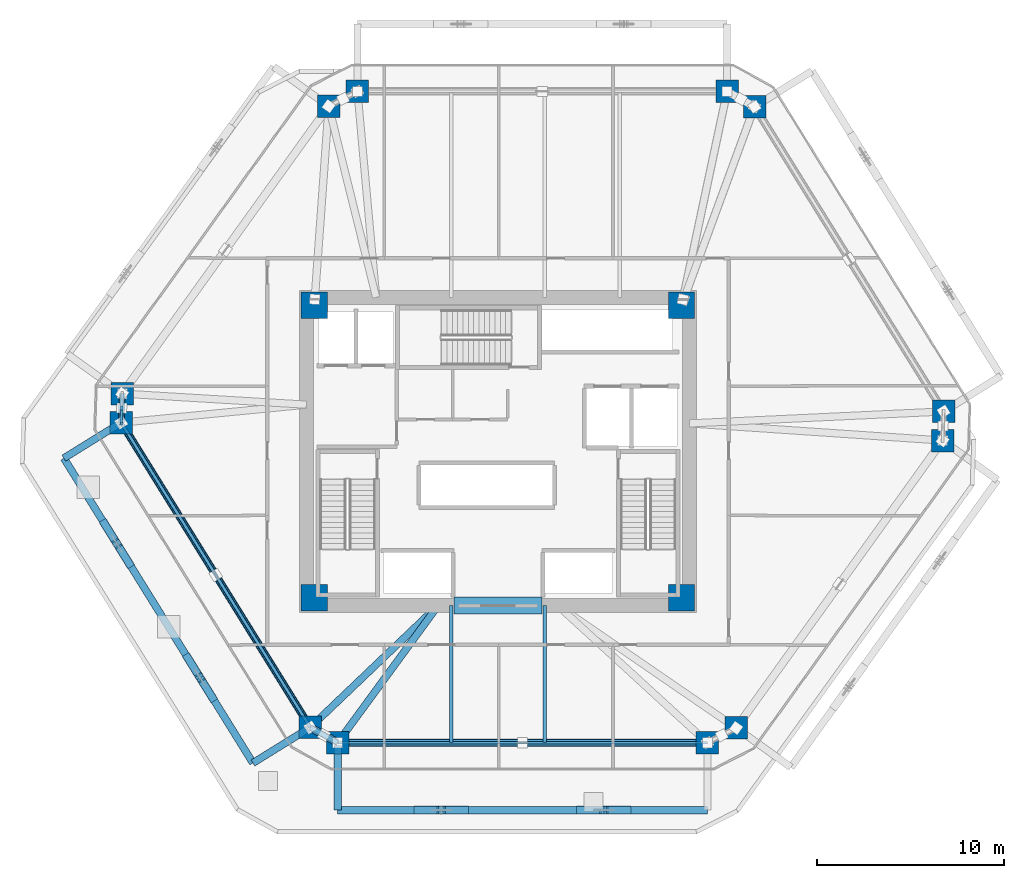
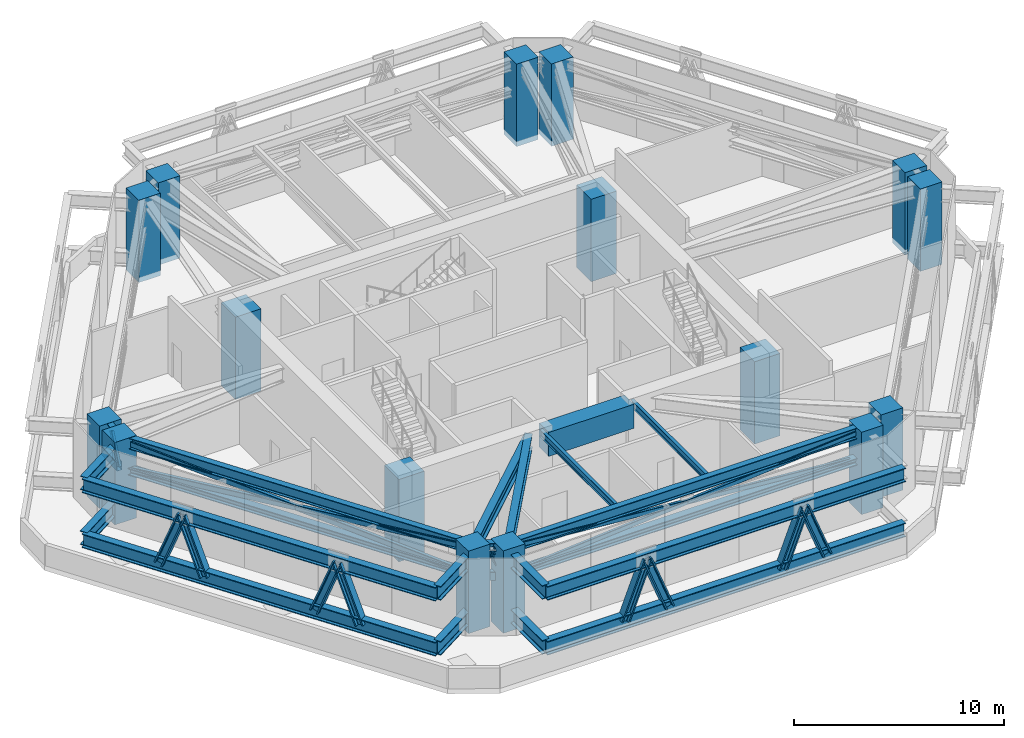
# One storey, part 1 of 10: 21 members, 19 beams, 16 columns.
"""IFC4 building model written with IfcOpenShell, lengths in metres."""

from ifc_helpers import new_model, si_unit, direction, frame, origin, origin_2d, place, context, subcontext, project, spatial, rectangle, hollow_rectangle, i_section, extrude, source, transform, mapped, material, material_profile, profile_set, type_object, type_shapes, element, save


model = new_model("IFC4")

# Units and contexts
model_context = context("Model", 3, precision=1e-05, world=origin(), true_north=direction((0.0, 1.0)))
body_context = subcontext(model_context, "Body", "Model", "MODEL_VIEW")
ifc_project = project(units=[si_unit("LENGTHUNIT", "METRE"), si_unit("AREAUNIT", "SQUARE_METRE"), si_unit("VOLUMEUNIT", "CUBIC_METRE"), si_unit("PLANEANGLEUNIT", "RADIAN"), si_unit("MASSUNIT", "GRAM", prefix="KILO")], contexts=[model_context])

# Site, building, storey
site_placement = place(None, origin())
site = spatial("IfcSite", under=ifc_project, at=site_placement, CompositionType="ELEMENT")
building_placement = place(site_placement, origin())
building = spatial("IfcBuilding", under=site, at=building_placement, Name="Durnholm Broadcast Tower", CompositionType="ELEMENT")
storey_placement = place(building_placement, frame((0.0, 0.0, 88.5)))
storey = spatial("IfcBuildingStorey", under=building, at=storey_placement, Name="L23", CompositionType="ELEMENT", Elevation=88.5)

# Columns
ifc_material_1 = material(Name="Concrete C70/85", Category="concrete")
ifc_material_profile_1 = material_profile(ifc_material_1, rectangle(XDim=1.39990234375, YDim=1.39990234375, at=origin_2d()), Name="RC1400X1400")
ifc_profile_set_1 = profile_set([ifc_material_profile_1], Name="Concrete C70/85")
column_type_1 = type_object("IfcColumnType", Name="COL-CC-1400", PredefinedType="COLUMN", material=ifc_profile_set_1)
shared_shape_1 = source(origin(), body_context, "Body", "SweptSolid", [
    extrude(rectangle(XDim=1.39990234375, YDim=1.39990234375, at=origin_2d()), origin(), (0.0, 0.0, 1.0), 4.800048828125),
])
type_shapes(column_type_1, [shared_shape_1])
for number, where, z_axis, x_axis, name in (
    (1, (-9.800048828125, -7.800048828125, -0.300048828125), (0.0, 0.0, 1.0), (1.0, 0.0, 0.0), "L23 core corner column 1"),
    (2, (9.800048828125, -7.800048828125, -0.300048828125), (0.0, 0.0, 1.0), (1.0, 0.0, 0.0), "L23 core corner column 2"),
    (3, (9.800048828125, 7.800048828125, -0.300048828125), (0.0, 0.0, 1.0), (1.0, 0.0, 0.0), "L23 core corner column 3"),
    (4, (-9.800048828125, 7.800048828125, -0.300048828125), (0.0, 0.0, 1.0), (1.0, 0.0, 0.0), "L23 core corner column 4"),
):
    element("IfcColumn", number, at=place(storey_placement, frame(where, z_axis=z_axis, x_axis=x_axis)), inside=storey, type_object=column_type_1, Name=name, PredefinedType="COLUMN", context=body_context, shape_type="MappedRepresentation", body=[
        mapped(shared_shape_1, transform((0.0, 0.0, 0.0), x_axis=(1.0, 0.0, 0.0), y_axis=(0.0, 1.0, 0.0), z_axis=(0.0, 0.0, 1.0), scale=1.0)),
    ])
ifc_material_profile_2 = material_profile(ifc_material_1, rectangle(XDim=1.199951171875, YDim=1.199951171875, at=origin_2d()), Name="RC1200X1200")
ifc_profile_set_2 = profile_set([ifc_material_profile_2], Name="Concrete C70/85")
column_type_2 = type_object("IfcColumnType", Name="COL-CC-1200", PredefinedType="COLUMN", material=ifc_profile_set_2)
shared_shape_2 = source(origin(), body_context, "Body", "SweptSolid", [
    extrude(rectangle(XDim=1.199951171875, YDim=1.199951171875, at=origin_2d()), origin(), (0.0, 0.0, 1.0), 4.800048828125),
])
type_shapes(column_type_2, [shared_shape_2])
for number, where, z_axis, x_axis, name in (
    (5, (-10.01416015625, -14.723388671875, -0.300048828125), (0.0, 0.0, 1.0), (1.0, 0.0, 0.0), "L23 perimeter hexagonal tube column 01"),
    (6, (-20.102783203125, 1.54150390625, -0.300048828125), (0.0, 0.0, 1.0), (1.0, 0.0, 0.0), "L23 perimeter hexagonal tube column 02"),
    (7, (-20.050048828125, 3.091064453125, -0.300048828125), (0.0, 0.0, 1.0), (1.0, 0.0, 0.0), "L23 perimeter hexagonal tube column 03"),
    (8, (-9.031982421875, 18.42822265625, -0.300048828125), (0.0, 0.0, 1.0), (1.0, 0.0, 0.0), "L23 perimeter hexagonal tube column 04"),
    (9, (-7.498046875, 19.215087890625, -0.300048828125), (0.0, 0.0, 1.0), (1.0, 0.0, 0.0), "L23 perimeter hexagonal tube column 05"),
    (10, (12.22998046875, 19.215087890625, -0.300048828125), (0.0, 0.0, 1.0), (1.0, 0.0, 0.0), "L23 perimeter hexagonal tube column 06"),
    (11, (13.692138671875, 18.4013671875, -0.300048828125), (0.0, 0.0, 1.0), (1.0, 0.0, 0.0), "L23 perimeter hexagonal tube column 07"),
    (12, (23.78076171875, 2.13671875, -0.300048828125), (0.0, 0.0, 1.0), (1.0, 0.0, 0.0), "L23 perimeter hexagonal tube column 08"),
    (13, (23.72802734375, 0.5869140625, -0.300048828125), (0.0, 0.0, 1.0), (1.0, 0.0, 0.0), "L23 perimeter hexagonal tube column 09"),
    (14, (12.7099609375, -14.750244140625, -0.300048828125), (0.0, 0.0, 1.0), (1.0, 0.0, 0.0), "L23 perimeter hexagonal tube column 10"),
    (15, (11.176025390625, -15.537109375, -0.300048828125), (0.0, 0.0, 1.0), (1.0, 0.0, 0.0), "L23 perimeter hexagonal tube column 11"),
    (16, (-8.552001953125, -15.537109375, -0.300048828125), (0.0, 0.0, 1.0), (1.0, 0.0, 0.0), "L23 perimeter hexagonal tube column 12"),
):
    element("IfcColumn", number, at=place(storey_placement, frame(where, z_axis=z_axis, x_axis=x_axis)), inside=storey, type_object=column_type_2, Name=name, PredefinedType="COLUMN", context=body_context, shape_type="MappedRepresentation", body=[
        mapped(shared_shape_2, transform((0.0, 0.0, 0.0), x_axis=(1.0, 0.0, 0.0), y_axis=(0.0, 1.0, 0.0), z_axis=(0.0, 0.0, 1.0), scale=1.0)),
    ])

# Beams
ifc_material_profile_3 = material_profile(ifc_material_1, rectangle(XDim=0.89990234375, YDim=1.39990234375, at=origin_2d()), Name="RC900X1400")
ifc_profile_set_3 = profile_set([ifc_material_profile_3], Name="Concrete C70/85")
beam_type_1 = type_object("IfcBeamType", Name="BM-CB-RC1400", PredefinedType="LINTEL", material=ifc_profile_set_3)
shared_shape_3 = source(origin(), body_context, "Body", "SweptSolid", [
    extrude(rectangle(XDim=0.89990234375, YDim=1.39990234375, at=origin_2d()), origin(), (0.0, 0.0, 1.0), 4.7001953125),
])
type_shapes(beam_type_1, [shared_shape_3])
beam_1_placement = place(storey_placement, frame((-2.35009765625, -8.22509765625, 3.794921875), z_axis=(1.0, 0.0, 0.0), x_axis=(0.0, 1.0, 0.0)))
element("IfcBeam", 17, at=beam_1_placement, inside=storey, type_object=beam_type_1, Name="L23 south core coupling lintel beam CB-S", PredefinedType="LINTEL", context=body_context, shape_type="MappedRepresentation", body=[
    mapped(shared_shape_3, transform((0.0, 0.0, 0.0), x_axis=(1.0, 0.0, 0.0), y_axis=(0.0, 1.0, 0.0), z_axis=(0.0, 0.0, 1.0), scale=1.0)),
])
ifc_material_2 = material(Name="Steel ASTM A992 Grade 50", Category="steel")
ifc_material_profile_4 = material_profile(ifc_material_2, i_section(OverallWidth=0.385009765625, OverallDepth=0.802978515625, WebThickness=0.023681640625, FlangeThickness=0.0419921875, FilletRadius=0.032958984375, at=origin_2d()), Name="W30X261")
ifc_profile_set_4 = profile_set([ifc_material_profile_4], Name="Steel ASTM A992 Grade 50")
beam_type_2 = type_object("IfcBeamType", Name="BM-EXO-TIE", PredefinedType="USERDEFINED", material=ifc_profile_set_4)
shared_shape_4 = source(origin(), body_context, "Body", "SweptSolid", [
    extrude(i_section(OverallWidth=0.385009765625, OverallDepth=0.802978515625, WebThickness=0.023681640625, FlangeThickness=0.0419921875, FilletRadius=0.032958984375, at=origin_2d()), origin(), (0.0, 0.0, 1.0), 3.4560546875),
])
for number, where, z_axis, x_axis, name in (
    (18, (-8.552001953125, -15.680908203125, 0.550048828125), (0.0, -1.0, 0.0), (1.0, 0.0, 0.0), "L23 zone-base exoskeleton stand-off tie bracket F1.1"),
    (19, (-8.552001953125, -15.680908203125, 3.74853515625), (0.0, -1.0, 0.0), (1.0, 0.0, 0.0), "L23 exoskeleton stand-off tie bracket F1.1"),
    (20, (-20.22509765625, 1.465576171875, 0.550048828125), (-0.849795112316, -0.527113144481, 0.0), (0.527113144481, -0.849795112316, 0.0), "L23 zone-base exoskeleton stand-off tie bracket F6.1"),
    (21, (-20.22509765625, 1.465576171875, 3.74853515625), (-0.849795112316, -0.527113144481, 0.0), (0.527113144481, -0.849795112316, 0.0), "L23 exoskeleton stand-off tie bracket F6.1"),
):
    element("IfcBeam", number, at=place(storey_placement, frame(where, z_axis=z_axis, x_axis=x_axis)), inside=storey, type_object=beam_type_2, Name=name, ObjectType="GIRDER", PredefinedType="USERDEFINED", context=body_context, shape_type="MappedRepresentation", body=[
        mapped(shared_shape_4, transform((0.0, 0.0, 0.0), x_axis=(1.0, 0.0, 0.0), y_axis=(0.0, 1.0, 0.0), z_axis=(0.0, 0.0, 1.0), scale=1.0)),
    ])
shared_shape_5 = source(origin(), body_context, "Body", "SweptSolid", [
    extrude(i_section(OverallWidth=0.385009765625, OverallDepth=0.802978515625, WebThickness=0.023681640625, FlangeThickness=0.0419921875, FilletRadius=0.032958984375, at=origin_2d()), origin(), (0.0, 0.0, 1.0), 3.455810546875),
])
for number, where, z_axis, x_axis, name in (
    (22, (-10.13671875, -14.79931640625, 0.550048828125), (-0.849807128357, -0.527093772107, 0.0), (0.527093772107, -0.849807128357, 0.0), "L23 zone-base exoskeleton stand-off tie bracket F6.2"),
    (23, (-10.13671875, -14.79931640625, 3.74853515625), (-0.849807128357, -0.527093772107, 0.0), (0.527093772107, -0.849807128357, 0.0), "L23 exoskeleton stand-off tie bracket F6.2"),
):
    element("IfcBeam", number, at=place(storey_placement, frame(where, z_axis=z_axis, x_axis=x_axis)), inside=storey, type_object=beam_type_2, Name=name, ObjectType="GIRDER", PredefinedType="USERDEFINED", context=body_context, shape_type="MappedRepresentation", body=[
        mapped(shared_shape_5, transform((0.0, 0.0, 0.0), x_axis=(1.0, 0.0, 0.0), y_axis=(0.0, 1.0, 0.0), z_axis=(0.0, 0.0, 1.0), scale=1.0)),
    ])
ifc_material_profile_5 = material_profile(ifc_material_2, i_section(OverallWidth=0.3291015625, OverallDepth=0.635009765625, WebThickness=0.017822265625, FlangeThickness=0.031005859375, FilletRadius=0.02783203125, at=origin_2d()), Name="W24X162")
ifc_profile_set_5 = profile_set([ifc_material_profile_5], Name="Steel ASTM A992 Grade 50")
beam_type_3 = type_object("IfcBeamType", Name="STL-SP-W24X162", PredefinedType="SPANDREL", material=ifc_profile_set_5)
shared_shape_6 = source(origin(), body_context, "Body", "SweptSolid", [
    extrude(i_section(OverallWidth=0.3291015625, OverallDepth=0.635009765625, WebThickness=0.017822265625, FlangeThickness=0.031005859375, FilletRadius=0.02783203125, at=origin_2d()), origin(), (0.0, 0.0, 1.0), 19.1396484375),
])
beam_2_placement = place(storey_placement, frame((-10.01416015625, -14.723388671875, 4.16748046875), z_axis=(-0.527105324954, 0.849799962582, 0.0), x_axis=(-0.849799962582, -0.527105324954, 0.0)))
element("IfcBeam", 24, at=beam_2_placement, inside=storey, type_object=beam_type_3, Name="L23 perimeter spandrel girder 01", PredefinedType="SPANDREL", context=body_context, shape_type="MappedRepresentation", body=[
    mapped(shared_shape_6, transform((0.0, 0.0, 0.0), x_axis=(1.0, 0.0, 0.0), y_axis=(0.0, 1.0, 0.0), z_axis=(0.0, 0.0, 1.0), scale=1.0)),
])
shared_shape_7 = source(origin(), body_context, "Body", "SweptSolid", [
    extrude(i_section(OverallWidth=0.3291015625, OverallDepth=0.635009765625, WebThickness=0.017822265625, FlangeThickness=0.031005859375, FilletRadius=0.02783203125, at=origin_2d()), origin(), (0.0, 0.0, 1.0), 1.550537109375),
])
beam_3_placement = place(storey_placement, frame((-20.102783203125, 1.54150390625, 4.16748046875), z_axis=(0.034012135923, 0.999421419928, 0.0), x_axis=(-0.999421419928, 0.034012135923, 0.0)))
element("IfcBeam", 25, at=beam_3_placement, inside=storey, type_object=beam_type_3, Name="L23 perimeter spandrel girder 02", PredefinedType="SPANDREL", context=body_context, shape_type="MappedRepresentation", body=[
    mapped(shared_shape_7, transform((0.0, 0.0, 0.0), x_axis=(1.0, 0.0, 0.0), y_axis=(0.0, 1.0, 0.0), z_axis=(0.0, 0.0, 1.0), scale=1.0)),
])
shared_shape_8 = source(origin(), body_context, "Body", "SweptSolid", [
    extrude(i_section(OverallWidth=0.3291015625, OverallDepth=0.635009765625, WebThickness=0.017822265625, FlangeThickness=0.031005859375, FilletRadius=0.02783203125, at=origin_2d()), origin(), (0.0, 0.0, 1.0), 19.72802734375),
])
beam_4_placement = place(storey_placement, frame((11.176025390625, -15.537109375, 4.16748046875), z_axis=(-1.0, 0.0, 0.0), x_axis=(0.0, -1.0, 0.0)))
element("IfcBeam", 26, at=beam_4_placement, inside=storey, type_object=beam_type_3, Name="L23 perimeter spandrel girder 11", PredefinedType="SPANDREL", context=body_context, shape_type="MappedRepresentation", body=[
    mapped(shared_shape_8, transform((0.0, 0.0, 0.0), x_axis=(1.0, 0.0, 0.0), y_axis=(0.0, 1.0, 0.0), z_axis=(0.0, 0.0, 1.0), scale=1.0)),
])
shared_shape_9 = source(origin(), body_context, "Body", "SweptSolid", [
    extrude(i_section(OverallWidth=0.3291015625, OverallDepth=0.635009765625, WebThickness=0.017822265625, FlangeThickness=0.031005859375, FilletRadius=0.02783203125, at=origin_2d()), origin(), (0.0, 0.0, 1.0), 1.67333984375),
])
type_shapes(beam_type_3, [shared_shape_6, shared_shape_7, shared_shape_8, shared_shape_9])
beam_5_placement = place(storey_placement, frame((-8.552001953125, -15.537109375, 4.16748046875), z_axis=(-0.873799169188, 0.486286964586, 0.0), x_axis=(-0.486286964586, -0.873799169188, 0.0)))
element("IfcBeam", 27, at=beam_5_placement, inside=storey, type_object=beam_type_3, Name="L23 perimeter spandrel girder 12", PredefinedType="SPANDREL", context=body_context, shape_type="MappedRepresentation", body=[
    mapped(shared_shape_9, transform((0.0, 0.0, 0.0), x_axis=(1.0, 0.0, 0.0), y_axis=(0.0, 1.0, 0.0), z_axis=(0.0, 0.0, 1.0), scale=1.0)),
])
ifc_material_profile_6 = material_profile(ifc_material_2, i_section(OverallWidth=0.385009765625, OverallDepth=0.802978515625, WebThickness=0.023681640625, FlangeThickness=0.0419921875, FilletRadius=0.032958984375, at=origin_2d()), Name="W30X261")
ifc_profile_set_6 = profile_set([ifc_material_profile_6], Name="Steel ASTM A992 Grade 50")
beam_type_4 = type_object("IfcBeamType", Name="STL-GR-W30X261", PredefinedType="USERDEFINED", material=ifc_profile_set_6)
shared_shape_10 = source(origin(), body_context, "Body", "SweptSolid", [
    extrude(i_section(OverallWidth=0.385009765625, OverallDepth=0.802978515625, WebThickness=0.023681640625, FlangeThickness=0.0419921875, FilletRadius=0.032958984375, at=origin_2d()), origin(), (0.0, 0.0, 1.0), 9.416015625),
])
beam_6_placement = place(storey_placement, frame((-3.199951171875, -8.22509765625, 4.08349609375), z_axis=(-0.723683335801, -0.690132182617, 0.0), x_axis=(0.690132182617, -0.723683335801, 0.0)))
element("IfcBeam", 28, at=beam_6_placement, inside=storey, type_object=beam_type_4, Name="L23 radial primary floor girder 01", ObjectType="GIRDER", PredefinedType="USERDEFINED", context=body_context, shape_type="MappedRepresentation", body=[
    mapped(shared_shape_10, transform((0.0, 0.0, 0.0), x_axis=(1.0, 0.0, 0.0), y_axis=(0.0, 1.0, 0.0), z_axis=(0.0, 0.0, 1.0), scale=1.0)),
])
shared_shape_11 = source(origin(), body_context, "Body", "SweptSolid", [
    extrude(i_section(OverallWidth=0.385009765625, OverallDepth=0.802978515625, WebThickness=0.023681640625, FlangeThickness=0.0419921875, FilletRadius=0.032958984375, at=origin_2d()), origin(), (0.0, 0.0, 1.0), 9.0615234375),
])
type_shapes(beam_type_4, [shared_shape_10, shared_shape_11])
beam_7_placement = place(storey_placement, frame((-3.199951171875, -8.22509765625, 4.08349609375), z_axis=(-0.590639241086, -0.806935739008, 0.0), x_axis=(0.806935739008, -0.590639241086, 0.0)))
element("IfcBeam", 29, at=beam_7_placement, inside=storey, type_object=beam_type_4, Name="L23 radial primary floor girder 12", ObjectType="GIRDER", PredefinedType="USERDEFINED", context=body_context, shape_type="MappedRepresentation", body=[
    mapped(shared_shape_11, transform((0.0, 0.0, 0.0), x_axis=(1.0, 0.0, 0.0), y_axis=(0.0, 1.0, 0.0), z_axis=(0.0, 0.0, 1.0), scale=1.0)),
])
ifc_material_profile_7 = material_profile(ifc_material_2, i_section(OverallWidth=0.177734375, OverallDepth=0.40673828125, WebThickness=0.0078125, FlangeThickness=0.0126953125, FilletRadius=0.01904296875, at=origin_2d()), Name="W16X40")
ifc_profile_set_7 = profile_set([ifc_material_profile_7], Name="Steel ASTM A992 Grade 50")
beam_type_5 = type_object("IfcBeamType", Name="STL-BJ-W16X40", PredefinedType="JOIST", material=ifc_profile_set_7)
shared_shape_12 = source(origin(), body_context, "Body", "SweptSolid", [
    extrude(i_section(OverallWidth=0.177734375, OverallDepth=0.40673828125, WebThickness=0.0078125, FlangeThickness=0.0126953125, FilletRadius=0.01904296875, at=origin_2d()), origin(), (0.0, 0.0, 1.0), 7.31201171875),
])
type_shapes(beam_type_5, [shared_shape_12])
for number, where, z_axis, x_axis, name in (
    (30, (-2.5, -15.537109375, 4.281494140625), (0.0, 1.0, 0.0), (-1.0, 0.0, 0.0), "L23 secondary floor joist 5.1"),
    (31, (2.5, -15.537109375, 4.281494140625), (0.0, 1.0, 0.0), (-1.0, 0.0, 0.0), "L23 secondary floor joist 6.1"),
):
    element("IfcBeam", number, at=place(storey_placement, frame(where, z_axis=z_axis, x_axis=x_axis)), inside=storey, type_object=beam_type_5, Name=name, PredefinedType="JOIST", context=body_context, shape_type="MappedRepresentation", body=[
        mapped(shared_shape_12, transform((0.0, 0.0, 0.0), x_axis=(1.0, 0.0, 0.0), y_axis=(0.0, 1.0, 0.0), z_axis=(0.0, 0.0, 1.0), scale=1.0)),
    ])

# Members
ifc_material_profile_8 = material_profile(ifc_material_2, i_section(OverallWidth=0.4013671875, OverallDepth=0.3994140625, WebThickness=0.02490234375, FlangeThickness=0.03955078125, FilletRadius=0.030517578125, at=origin_2d()), Name="W14X211")
ifc_profile_set_8 = profile_set([ifc_material_profile_8], Name="Steel ASTM A992 Grade 50")
member_type_1 = type_object("IfcMemberType", Name="STL-TC-W14X211", PredefinedType="CHORD", material=ifc_profile_set_8)
shared_shape_13 = source(origin(), body_context, "Body", "SweptSolid", [
    extrude(i_section(OverallWidth=0.4013671875, OverallDepth=0.3994140625, WebThickness=0.02490234375, FlangeThickness=0.03955078125, FilletRadius=0.030517578125, at=origin_2d()), origin(), (0.0, 0.0, 1.0), 19.1396484375),
])
member_1_placement = place(storey_placement, frame((-10.01416015625, -14.723388671875, 2.550048828125), z_axis=(-0.527105324954, 0.849799962582, 0.0), x_axis=(-0.849799962582, -0.527105324954, 0.0)))
element("IfcMember", 32, at=member_1_placement, inside=storey, type_object=member_type_1, Name="L23 perimeter belt-truss bottom chord 01", PredefinedType="CHORD", context=body_context, shape_type="MappedRepresentation", body=[
    mapped(shared_shape_13, transform((0.0, 0.0, 0.0), x_axis=(1.0, 0.0, 0.0), y_axis=(0.0, 1.0, 0.0), z_axis=(0.0, 0.0, 1.0), scale=1.0)),
])
ifc_material_3 = material(Name="Steel ASTM A500 Grade C", Category="steel")
ifc_material_profile_9 = material_profile(ifc_material_3, hollow_rectangle(XDim=0.203125, YDim=0.3046875, WallThickness=0.01171875, InnerFilletRadius=0.017578125, OuterFilletRadius=0.029541015625, at=origin_2d()), Name="HSS12X8X1/2")
ifc_profile_set_9 = profile_set([ifc_material_profile_9], Name="Steel ASTM A500 Grade C")
member_type_2 = type_object("IfcMemberType", Name="STL-TB-HSS12X8", PredefinedType="BRACE", material=ifc_profile_set_9)
shared_shape_14 = source(origin(), body_context, "Body", "SweptSolid", [
    extrude(hollow_rectangle(XDim=0.203125, YDim=0.3046875, WallThickness=0.01171875, InnerFilletRadius=0.017578125, OuterFilletRadius=0.029541015625, at=origin_2d()), origin(), (0.0, 0.0, 1.0), 19.206298828125),
])
member_2_placement = place(storey_placement, frame((-10.01416015625, -14.723388671875, 2.550048828125), z_axis=(-0.525273473284, 0.846846648686, 0.08329785036), x_axis=(-0.849799962582, -0.527105324954, 0.0)))
element("IfcMember", 33, at=member_2_placement, inside=storey, type_object=member_type_2, Name="L23 belt-truss continuous X-diagonal brace 01", PredefinedType="BRACE", context=body_context, shape_type="MappedRepresentation", body=[
    mapped(shared_shape_14, transform((0.0, 0.0, 0.0), x_axis=(1.0, 0.0, 0.0), y_axis=(0.0, 1.0, 0.0), z_axis=(0.0, 0.0, 1.0), scale=1.0)),
])
shared_shape_15 = source(origin(), body_context, "Body", "SweptSolid", [
    extrude(hollow_rectangle(XDim=0.203125, YDim=0.3046875, WallThickness=0.01171875, InnerFilletRadius=0.017578125, OuterFilletRadius=0.029541015625, at=origin_2d()), origin(), (0.0, 0.0, 1.0), 9.603271484375),
])
type_shapes(member_type_2, [shared_shape_14, shared_shape_15])
for number, where, z_axis, x_axis, name in (
    (34, (-20.102783203125, 1.54150390625, 2.550048828125), (0.525258058526, -0.846855001576, 0.083310132994), (0.849809220197, 0.527090399522, 0.0), "L23 belt-truss split X-diagonal segment 01.1"),
    (35, (-15.05859375, -6.591064453125, 3.35009765625), (0.525288887959, -0.846838295321, 0.083285567561), (0.849790704629, 0.527120250347, 0.0), "L23 belt-truss split X-diagonal segment 01.2"),
):
    element("IfcMember", number, at=place(storey_placement, frame(where, z_axis=z_axis, x_axis=x_axis)), inside=storey, type_object=member_type_2, Name=name, PredefinedType="BRACE", context=body_context, shape_type="MappedRepresentation", body=[
        mapped(shared_shape_15, transform((0.0, 0.0, 0.0), x_axis=(1.0, 0.0, 0.0), y_axis=(0.0, 1.0, 0.0), z_axis=(0.0, 0.0, 1.0), scale=1.0)),
    ])
ifc_material_profile_10 = material_profile(ifc_material_3, hollow_rectangle(XDim=0.3046875, YDim=0.508056640625, WallThickness=0.014892578125, InnerFilletRadius=0.022216796875, OuterFilletRadius=0.037109375, at=origin_2d()), Name="HSS20X12X5/8")
ifc_profile_set_10 = profile_set([ifc_material_profile_10], Name="Steel ASTM A500 Grade C")
member_type_3 = type_object("IfcMemberType", Name="STL-TC-HSS20X12", PredefinedType="CHORD", material=ifc_profile_set_10)
shared_shape_16 = source(origin(), body_context, "Body", "SweptSolid", [
    extrude(hollow_rectangle(XDim=0.3046875, YDim=0.508056640625, WallThickness=0.014892578125, InnerFilletRadius=0.022216796875, OuterFilletRadius=0.037109375, at=origin_2d()), origin(), (0.0, 0.0, 1.0), 1.550537109375),
])
member_3_placement = place(storey_placement, frame((-20.102783203125, 1.54150390625, 2.550048828125), z_axis=(0.034012135923, 0.999421419928, 0.0), x_axis=(-0.999421419928, 0.034012135923, 0.0)))
element("IfcMember", 36, at=member_3_placement, inside=storey, type_object=member_type_3, Name="L23 perimeter belt-truss bottom chord 02", PredefinedType="CHORD", context=body_context, shape_type="MappedRepresentation", body=[
    mapped(shared_shape_16, transform((0.0, 0.0, 0.0), x_axis=(1.0, 0.0, 0.0), y_axis=(0.0, 1.0, 0.0), z_axis=(0.0, 0.0, 1.0), scale=1.0)),
])
ifc_material_profile_11 = material_profile(ifc_material_3, hollow_rectangle(XDim=0.15234375, YDim=0.25390625, WallThickness=0.0087890625, InnerFilletRadius=0.013427734375, OuterFilletRadius=0.022216796875, at=origin_2d()), Name="HSS10X6X3/8")
ifc_profile_set_11 = profile_set([ifc_material_profile_11], Name="Steel ASTM A500 Grade C")
member_type_4 = type_object("IfcMemberType", Name="STL-TB-HSS10X6", PredefinedType="BRACE", material=ifc_profile_set_11)
shared_shape_17 = source(origin(), body_context, "Body", "SweptSolid", [
    extrude(hollow_rectangle(XDim=0.15234375, YDim=0.25390625, WallThickness=0.0087890625, InnerFilletRadius=0.013427734375, OuterFilletRadius=0.022216796875, at=origin_2d()), origin(), (0.0, 0.0, 1.0), 1.77783203125),
])
member_4_placement = place(storey_placement, frame((-20.102783203125, 1.54150390625, 2.550048828125), z_axis=(0.014831058895, 0.435868341974, 0.899888230925), x_axis=(-0.999421602042, 0.03400678419, 0.0)))
element("IfcMember", 37, at=member_4_placement, inside=storey, type_object=member_type_4, Name="L23 belt-truss chevron brace 02.1", PredefinedType="BRACE", context=body_context, shape_type="MappedRepresentation", body=[
    mapped(shared_shape_17, transform((0.0, 0.0, 0.0), x_axis=(1.0, 0.0, 0.0), y_axis=(0.0, 1.0, 0.0), z_axis=(0.0, 0.0, 1.0), scale=1.0)),
])
shared_shape_18 = source(origin(), body_context, "Body", "SweptSolid", [
    extrude(i_section(OverallWidth=0.4013671875, OverallDepth=0.3994140625, WebThickness=0.02490234375, FlangeThickness=0.03955078125, FilletRadius=0.030517578125, at=origin_2d()), origin(), (0.0, 0.0, 1.0), 19.72802734375),
])
type_shapes(member_type_1, [shared_shape_13, shared_shape_18])
member_5_placement = place(storey_placement, frame((11.176025390625, -15.537109375, 2.550048828125), z_axis=(-1.0, 0.0, 0.0), x_axis=(0.0, -1.0, 0.0)))
element("IfcMember", 38, at=member_5_placement, inside=storey, type_object=member_type_1, Name="L23 perimeter belt-truss bottom chord 11", PredefinedType="CHORD", context=body_context, shape_type="MappedRepresentation", body=[
    mapped(shared_shape_18, transform((0.0, 0.0, 0.0), x_axis=(1.0, 0.0, 0.0), y_axis=(0.0, 1.0, 0.0), z_axis=(0.0, 0.0, 1.0), scale=1.0)),
])
shared_shape_19 = source(origin(), body_context, "Body", "SweptSolid", [
    extrude(hollow_rectangle(XDim=0.15234375, YDim=0.25390625, WallThickness=0.0087890625, InnerFilletRadius=0.013427734375, OuterFilletRadius=0.022216796875, at=origin_2d()), origin(), (0.0, 0.0, 1.0), 19.792724609375),
])
member_6_placement = place(storey_placement, frame((11.176025390625, -15.537109375, 2.550048828125), z_axis=(-0.996727893301, 0.0, 0.0808301102), x_axis=(0.0, -1.0, 0.0)))
element("IfcMember", 39, at=member_6_placement, inside=storey, type_object=member_type_4, Name="L23 belt-truss continuous X-diagonal brace 11", PredefinedType="BRACE", context=body_context, shape_type="MappedRepresentation", body=[
    mapped(shared_shape_19, transform((0.0, 0.0, 0.0), x_axis=(1.0, 0.0, 0.0), y_axis=(0.0, 1.0, 0.0), z_axis=(0.0, 0.0, 1.0), scale=1.0)),
])
shared_shape_20 = source(origin(), body_context, "Body", "SweptSolid", [
    extrude(hollow_rectangle(XDim=0.15234375, YDim=0.25390625, WallThickness=0.0087890625, InnerFilletRadius=0.013427734375, OuterFilletRadius=0.022216796875, at=origin_2d()), origin(), (0.0, 0.0, 1.0), 9.896484375),
])
type_shapes(member_type_4, [shared_shape_17, shared_shape_19, shared_shape_20])
for number, where, z_axis, x_axis, name in (
    (40, (-8.552001953125, -15.537109375, 2.550048828125), (0.996726899464, 0.0, 0.080842364417), (0.0, 1.0, 0.0), "L23 belt-truss split X-diagonal segment 11.1"),
    (41, (1.31201171875, -15.537109375, 3.35009765625), (0.99672888699, 0.0, 0.080817855946), (0.0, 1.0, 0.0), "L23 belt-truss split X-diagonal segment 11.2"),
):
    element("IfcMember", number, at=place(storey_placement, frame(where, z_axis=z_axis, x_axis=x_axis)), inside=storey, type_object=member_type_4, Name=name, PredefinedType="BRACE", context=body_context, shape_type="MappedRepresentation", body=[
        mapped(shared_shape_20, transform((0.0, 0.0, 0.0), x_axis=(1.0, 0.0, 0.0), y_axis=(0.0, 1.0, 0.0), z_axis=(0.0, 0.0, 1.0), scale=1.0)),
    ])
shared_shape_21 = source(origin(), body_context, "Body", "SweptSolid", [
    extrude(hollow_rectangle(XDim=0.3046875, YDim=0.508056640625, WallThickness=0.014892578125, InnerFilletRadius=0.022216796875, OuterFilletRadius=0.037109375, at=origin_2d()), origin(), (0.0, 0.0, 1.0), 1.67333984375),
])
type_shapes(member_type_3, [shared_shape_16, shared_shape_21])
member_7_placement = place(storey_placement, frame((-8.552001953125, -15.537109375, 2.550048828125), z_axis=(-0.873799169188, 0.486286964586, 0.0), x_axis=(-0.486286964586, -0.873799169188, 0.0)))
element("IfcMember", 42, at=member_7_placement, inside=storey, type_object=member_type_3, Name="L23 perimeter belt-truss bottom chord 12", PredefinedType="CHORD", context=body_context, shape_type="MappedRepresentation", body=[
    mapped(shared_shape_21, transform((0.0, 0.0, 0.0), x_axis=(1.0, 0.0, 0.0), y_axis=(0.0, 1.0, 0.0), z_axis=(0.0, 0.0, 1.0), scale=1.0)),
])
ifc_material_4 = material(Name="Steel ASTM A913 Grade 65", Category="steel")
ifc_material_profile_12 = material_profile(ifc_material_4, i_section(OverallWidth=0.412109375, OverallDepth=0.434814453125, WebThickness=0.035888671875, FlangeThickness=0.057373046875, FilletRadius=0.030517578125, at=origin_2d()), Name="W14X311")
ifc_profile_set_12 = profile_set([ifc_material_profile_12], Name="Steel ASTM A913 Grade 65")
member_type_5 = type_object("IfcMemberType", Name="STL-DG-W14X311", PredefinedType="BRACE", material=ifc_profile_set_12)
shared_shape_22 = source(origin(), body_context, "Body", "SweptSolid", [
    extrude(i_section(OverallWidth=0.412109375, OverallDepth=0.434814453125, WebThickness=0.035888671875, FlangeThickness=0.057373046875, FilletRadius=0.030517578125, at=origin_2d()), origin(), (0.0, 0.0, 1.0), 1.805419921875),
])
type_shapes(member_type_5, [shared_shape_22])
for number, where, z_axis, x_axis, name in (
    (43, (-8.552001953125, -15.537109375, 2.550048828125), (-0.404872933204, 0.225425243704, 0.886149743249), (-0.486460359326, -0.873702648963, 0.0), "L23 belt-truss chevron brace 12.1"),
    (44, (-10.01416015625, -14.723388671875, 2.550048828125), (0.404998326179, -0.225284544712, 0.88612822419), (0.486113570304, 0.873895644094, 0.0), "L23 belt-truss chevron brace 12.2"),
):
    element("IfcMember", number, at=place(storey_placement, frame(where, z_axis=z_axis, x_axis=x_axis)), inside=storey, type_object=member_type_5, Name=name, PredefinedType="BRACE", context=body_context, shape_type="MappedRepresentation", body=[
        mapped(shared_shape_22, transform((0.0, 0.0, 0.0), x_axis=(1.0, 0.0, 0.0), y_axis=(0.0, 1.0, 0.0), z_axis=(0.0, 0.0, 1.0), scale=1.0)),
    ])

# Beams
shared_shape_23 = source(origin(), body_context, "Body", "SweptSolid", [
    extrude(i_section(OverallWidth=0.385009765625, OverallDepth=0.802978515625, WebThickness=0.023681640625, FlangeThickness=0.0419921875, FilletRadius=0.032958984375, at=origin_2d()), origin(), (0.0, 0.0, 1.0), 19.72802734375),
])
for number, where, z_axis, x_axis, name in (
    (45, (-8.552001953125, -19.136962890625, 0.550048828125), (1.0, 0.0, 0.0), (0.0, 1.0, 0.0), "L23 zone-base exoskeleton collector spandrel F1"),
    (46, (-8.552001953125, -19.136962890625, 3.74853515625), (1.0, 0.0, 0.0), (0.0, 1.0, 0.0), "L23 exoskeleton collector spandrel F1"),
):
    element("IfcBeam", number, at=place(storey_placement, frame(where, z_axis=z_axis, x_axis=x_axis)), inside=storey, type_object=beam_type_2, Name=name, PredefinedType="SPANDREL", context=body_context, shape_type="MappedRepresentation", body=[
        mapped(shared_shape_23, transform((0.0, 0.0, 0.0), x_axis=(1.0, 0.0, 0.0), y_axis=(0.0, 1.0, 0.0), z_axis=(0.0, 0.0, 1.0), scale=1.0)),
    ])

# Members
ifc_material_profile_13 = material_profile(ifc_material_4, i_section(OverallWidth=0.424072265625, OverallDepth=0.47412109375, WebThickness=0.047607421875, FlangeThickness=0.0771484375, FilletRadius=0.030517578125, at=origin_2d()), Name="W14X426")
ifc_profile_set_13 = profile_set([ifc_material_profile_13], Name="Steel ASTM A913 Grade 65")
member_type_6 = type_object("IfcMemberType", Name="STL-DG-W14X426", PredefinedType="BRACE", material=ifc_profile_set_13)
shared_shape_24 = source(origin(), body_context, "Body", "SweptSolid", [
    extrude(i_section(OverallWidth=0.424072265625, OverallDepth=0.47412109375, WebThickness=0.047607421875, FlangeThickness=0.0771484375, FilletRadius=0.030517578125, at=origin_2d()), origin(), (0.0, 0.0, 1.0), 3.42822265625),
])
type_shapes(member_type_6, [shared_shape_24])
for number, where, z_axis, x_axis, name in (
    (47, (-4.261962890625, -19.136962890625, 0.550048828125), (0.359919004433, 0.0, 0.932983553043), (0.0, 1.0, 0.0), "L23 stand-off diagrid brace F1.D1.1"),
    (48, (-1.794189453125, -19.136962890625, 0.550048828125), (-0.359919004433, 0.0, 0.932983553043), (0.0, -1.0, 0.0), "L23 stand-off diagrid brace F1.D1.2"),
    (49, (4.41845703125, -19.136962890625, 0.550048828125), (0.359919004433, 0.0, 0.932983553043), (0.0, 1.0, 0.0), "L23 stand-off diagrid brace F1.D2.1"),
    (50, (6.885986328125, -19.136962890625, 0.550048828125), (-0.359857012638, 0.0, 0.93300746538), (0.0, -1.0, 0.0), "L23 stand-off diagrid brace F1.D2.2"),
    (51, (-20.987548828125, -3.86181640625, 0.550048828125), (0.189715430215, -0.305866281072, 0.932981175395), (0.849805205368, 0.527096872433, 0.0), "L23 stand-off diagrid brace F6.D1.1"),
    (52, (-19.686767578125, -5.958740234375, 0.550048828125), (-0.189719562273, 0.305801726876, 0.933001495996), (-0.849750220063, -0.527185511469, 0.0), "L23 stand-off diagrid brace F6.D1.2"),
    (53, (-16.548583984375, -11.018310546875, 0.550048828125), (0.189719562273, -0.305801726876, 0.933001495996), (0.849750220063, 0.527185511469, 0.0), "L23 stand-off diagrid brace F6.D2.1"),
    (54, (-15.247802734375, -13.115234375, 0.550048828125), (-0.189715430215, 0.305866281072, 0.932981175395), (-0.849805205368, -0.527096872433, 0.0), "L23 stand-off diagrid brace F6.D2.2"),
):
    element("IfcMember", number, at=place(storey_placement, frame(where, z_axis=z_axis, x_axis=x_axis)), inside=storey, type_object=member_type_6, Name=name, PredefinedType="BRACE", context=body_context, shape_type="MappedRepresentation", body=[
        mapped(shared_shape_24, transform((0.0, 0.0, 0.0), x_axis=(1.0, 0.0, 0.0), y_axis=(0.0, 1.0, 0.0), z_axis=(0.0, 0.0, 1.0), scale=1.0)),
    ])

# Beams
shared_shape_25 = source(origin(), body_context, "Body", "SweptSolid", [
    extrude(i_section(OverallWidth=0.385009765625, OverallDepth=0.802978515625, WebThickness=0.023681640625, FlangeThickness=0.0419921875, FilletRadius=0.032958984375, at=origin_2d()), origin(), (0.0, 0.0, 1.0), 19.139404296875),
])
type_shapes(beam_type_2, [shared_shape_4, shared_shape_5, shared_shape_23, shared_shape_25])
for number, where, z_axis, x_axis, name in (
    (55, (-23.162109375, -0.356201171875, 0.550048828125), (0.527111038734, -0.84979641847, 0.0), (0.84979641847, 0.527111038734, 0.0), "L23 zone-base exoskeleton collector spandrel F6"),
    (56, (-23.162109375, -0.356201171875, 3.74853515625), (0.527111038734, -0.84979641847, 0.0), (0.84979641847, 0.527111038734, 0.0), "L23 exoskeleton collector spandrel F6"),
):
    element("IfcBeam", number, at=place(storey_placement, frame(where, z_axis=z_axis, x_axis=x_axis)), inside=storey, type_object=beam_type_2, Name=name, PredefinedType="SPANDREL", context=body_context, shape_type="MappedRepresentation", body=[
        mapped(shared_shape_25, transform((0.0, 0.0, 0.0), x_axis=(1.0, 0.0, 0.0), y_axis=(0.0, 1.0, 0.0), z_axis=(0.0, 0.0, 1.0), scale=1.0)),
    ])

save(model, "model.ifc")
